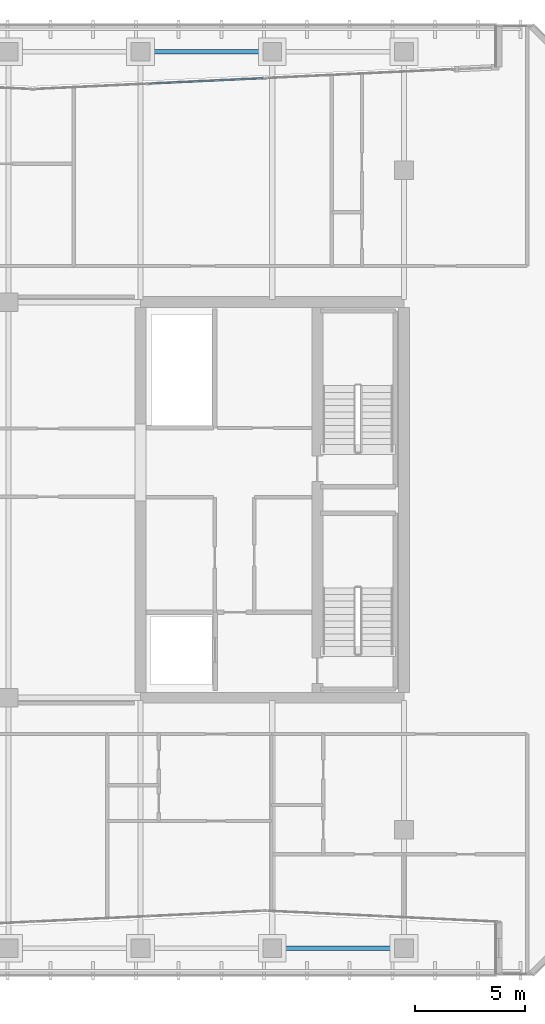
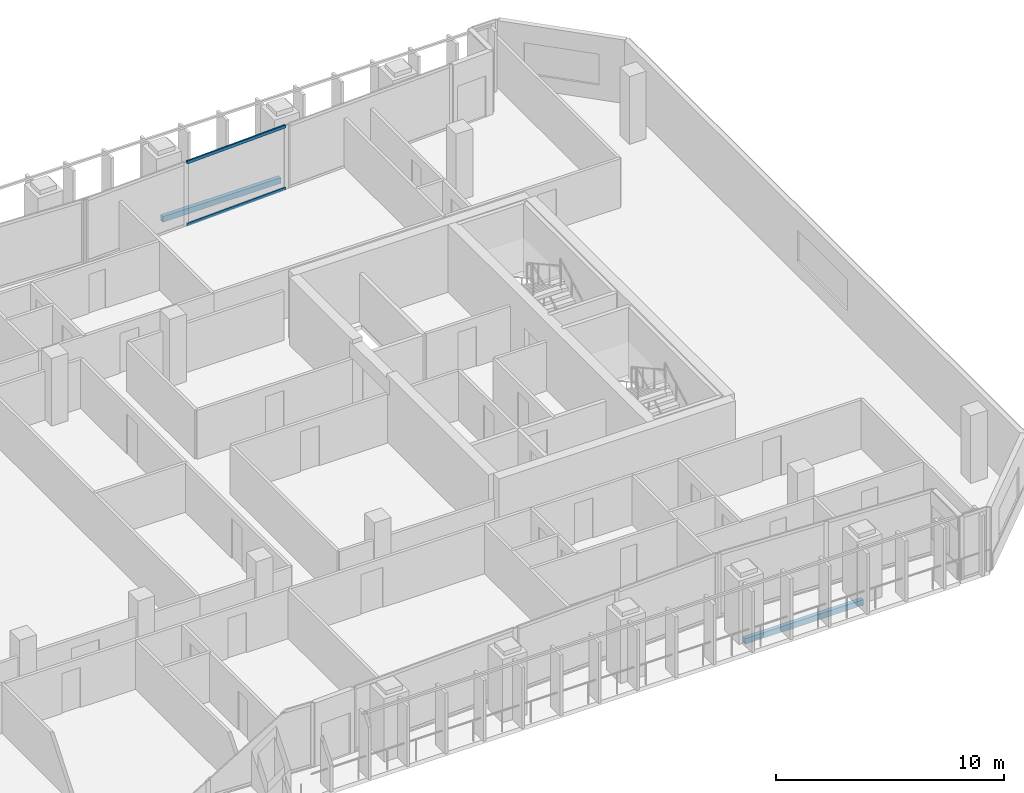
# One storey, part 13 of 28: 2 beams, 2 members, 1 element without a shape of its own.
"""IFC4 building model written with IfcOpenShell, lengths in metres."""

from ifc_helpers import new_model, si_unit, direction, frame, origin, origin_2d, place, context, subcontext, project, spatial, hollow_rectangle, extrude, material, layer, layer_set, material_profile, profile_set, type_object, element, aggregate, save


model = new_model("IFC4")

# Units and contexts
model_context = context("Model", 3, precision=1e-05, world=origin(), true_north=direction((0.0, 1.0)))
body_context = subcontext(model_context, "Body", "Model", "MODEL_VIEW")
ifc_project = project(units=[si_unit("LENGTHUNIT", "METRE"), si_unit("AREAUNIT", "SQUARE_METRE"), si_unit("VOLUMEUNIT", "CUBIC_METRE"), si_unit("PLANEANGLEUNIT", "RADIAN"), si_unit("MASSUNIT", "GRAM", prefix="KILO")], contexts=[model_context])

# Site, building, storey
site_placement = place(None, origin())
site = spatial("IfcSite", under=ifc_project, at=site_placement, CompositionType="ELEMENT")
building_placement = place(site_placement, origin())
building = spatial("IfcBuilding", under=site, at=building_placement, Name="Tanjung Sevakor Pilgrim Tower", CompositionType="ELEMENT")
storey_placement = place(building_placement, frame((0.0, 0.0, 158.39990234375)))
storey = spatial("IfcBuildingStorey", under=building, at=storey_placement, Name="L44", CompositionType="ELEMENT", Elevation=158.39990234375)

# Beams
ifc_material_1 = material(Name="Steel S355J2", Category="steel")
ifc_material_profile_1 = material_profile(ifc_material_1, hollow_rectangle(XDim=0.199951171875, YDim=0.300048828125, WallThickness=0.012451171875, at=origin_2d()))
ifc_profile_set_1 = profile_set([ifc_material_profile_1], Name="Steel S355J2")
beam_type = type_object("IfcBeamType", Name="BM-B-SP3-RHS_300x200x12.5", PredefinedType="SPANDREL", material=ifc_profile_set_1)
for number, where, z_axis, x_axis, name in (
    (1, (78.0, 54.0, -0.369873046875), (1.0, 0.0, 0.0), (0.0, 1.0, 0.0), "L44 Spandrel MAIN N-16"),
    (2, (84.0, 13.199951171875, -0.369873046875), (1.0, 0.0, 0.0), (0.0, 1.0, 0.0), "L44 Spandrel MAIN S-17"),
):
    element("IfcBeam", number, at=place(storey_placement, frame(where, z_axis=z_axis, x_axis=x_axis)), inside=storey, type_object=beam_type, Name=name, PredefinedType="SPANDREL", context=body_context, shape_type="SweptSolid", body=[
        extrude(hollow_rectangle(XDim=0.199951171875, YDim=0.300048828125, WallThickness=0.012451171875, at=origin_2d()), origin(), (0.0, 0.0, 1.0), 6.0),
    ])

# Curtain wall, members
ifc_material_2 = material(Name="Aluminium 6063-T6 and Low-E Glass", Category="aluminium")
ifc_layer = layer(ifc_material_2, 0.199951171875)
ifc_layer_set = layer_set([ifc_layer], Name="CW-SYS-PRAY")
curtain_wall_type = type_object("IfcCurtainWallType", Name="CW-SYS-PRAY", PredefinedType="NOTDEFINED", material=ifc_layer_set)
curtain_wall_placement = place(storey_placement, origin())
curtain_wall = element("IfcCurtainWall", 3, at=curtain_wall_placement, inside=storey, type_object=curtain_wall_type, Name="L44 Curtain Wall CW-PRY-L44-21", PredefinedType="NOTDEFINED")
ifc_material_3 = material(Name="Aluminium 6063-T6", Category="aluminium")
ifc_material_profile_2 = material_profile(ifc_material_3, hollow_rectangle(XDim=0.074951171875, YDim=0.159912109375, WallThickness=0.00439453125, at=origin_2d()))
ifc_profile_set_2 = profile_set([ifc_material_profile_2], Name="Aluminium 6063-T6")
member_type = type_object("IfcMemberType", Name="TYPE-CWT-2", PredefinedType="USERDEFINED", material=ifc_profile_set_2)
member_1_placement = place(storey_placement, frame((83.5810546875, 52.79150390625, 0.03759765625), z_axis=(-0.998880493931, -0.047304955805, 0.0), x_axis=(0.047304955805, -0.998880493931, 0.0)))
member_1 = element("IfcMember", 4, at=member_1_placement, type_object=member_type, Name="CW-PRY transom 1.1", ObjectType="TRANSOM", PredefinedType="USERDEFINED", context=body_context, shape_type="SweptSolid", body=[
    extrude(hollow_rectangle(XDim=0.074951171875, YDim=0.159912109375, WallThickness=0.00439453125, at=origin_2d()), origin(), (0.0, 0.0, 1.0), 5.17138671875),
])
member_2_placement = place(storey_placement, frame((83.5810546875, 52.79150390625, 3.37255859375), z_axis=(-0.998880493931, -0.047304955805, 0.0), x_axis=(0.047304955805, -0.998880493931, 0.0)))
member_2 = element("IfcMember", 5, at=member_2_placement, type_object=member_type, Name="CW-PRY transom 1.2", ObjectType="TRANSOM", PredefinedType="USERDEFINED", context=body_context, shape_type="SweptSolid", body=[
    extrude(hollow_rectangle(XDim=0.074951171875, YDim=0.159912109375, WallThickness=0.00439453125, at=origin_2d()), origin(), (0.0, 0.0, 1.0), 5.17138671875),
])
aggregate(curtain_wall, [member_1, member_2])

save(model, "model.ifc")
